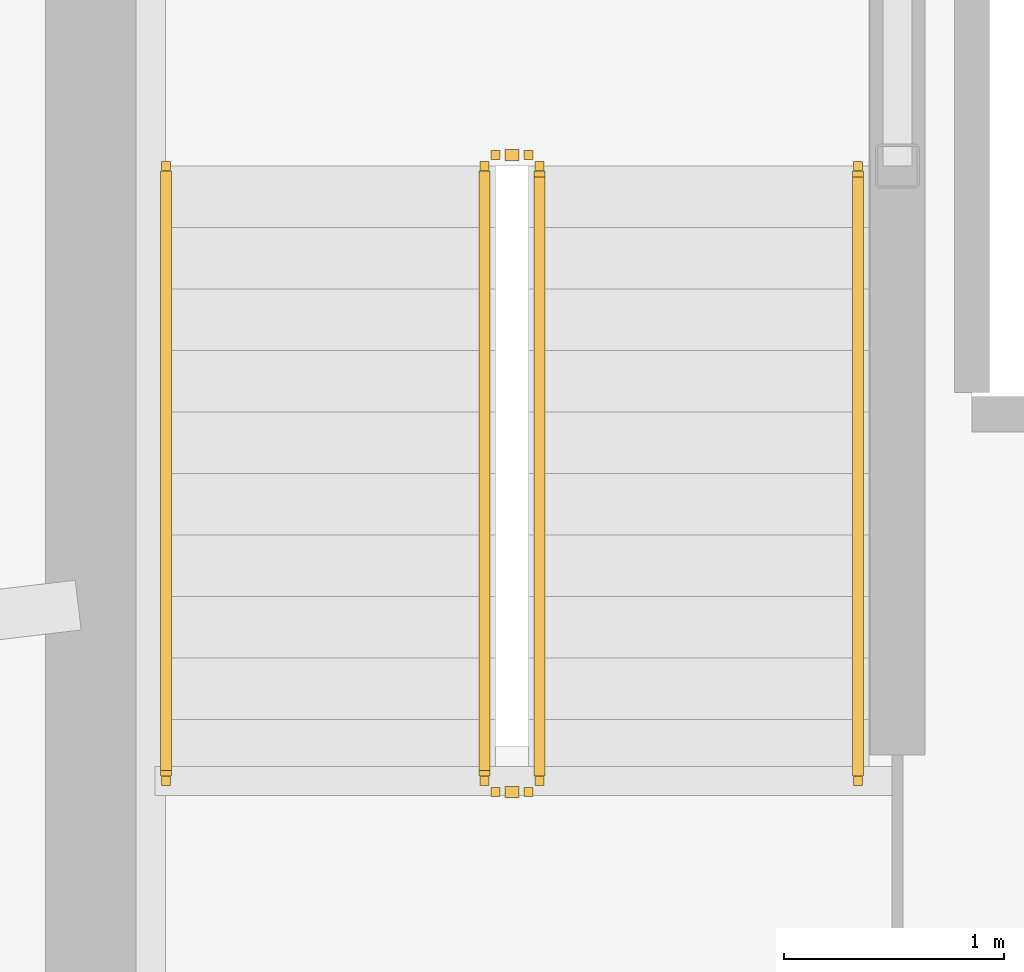
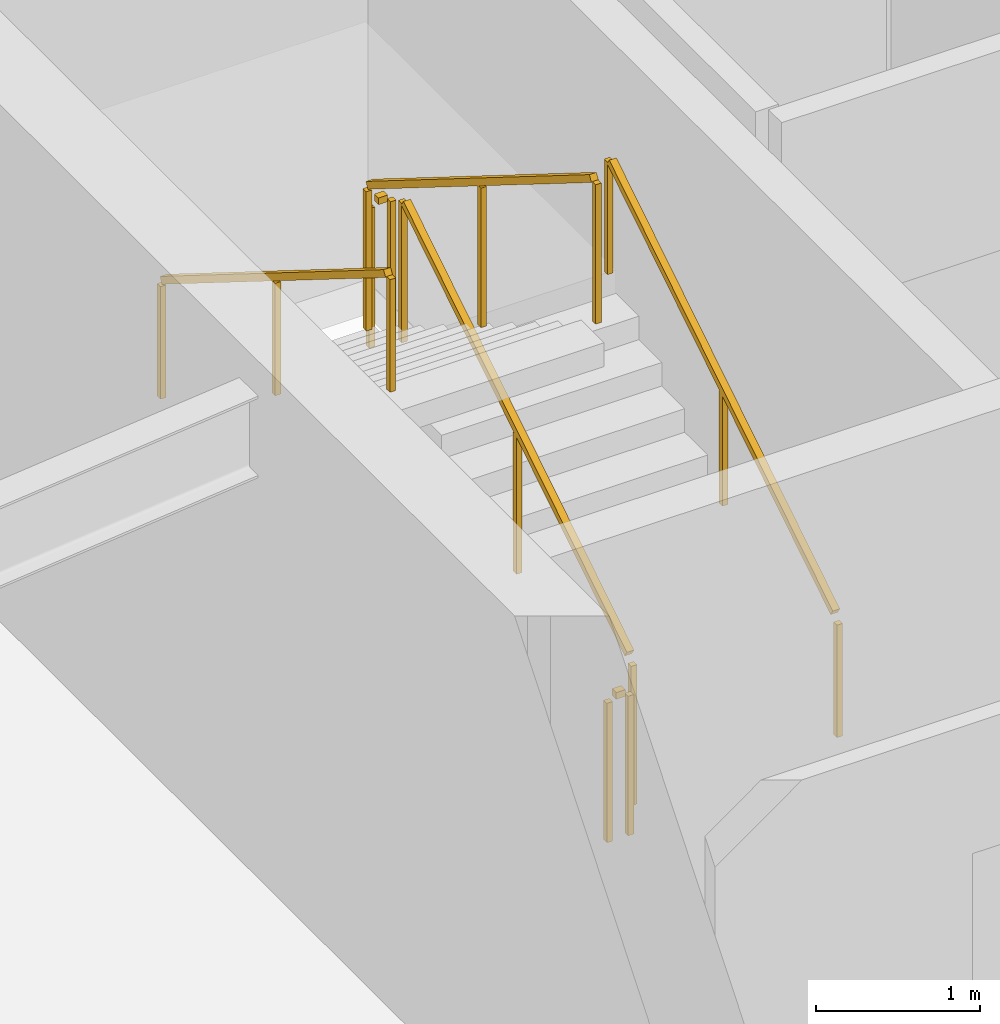
# One storey, part 25 of 30: 6 railings.
"""IFC4 building model written with IfcOpenShell, lengths in metres."""

from ifc_helpers import new_model, si_unit, direction, frame, origin, origin_2d, place, context, subcontext, project, spatial, rectangle, extrude, material, type_object, element, save


model = new_model("IFC4")

# Units and contexts
model_context = context("Model", 3, precision=1e-05, world=origin(), true_north=direction((0.0, 1.0)))
body_context = subcontext(model_context, "Body", "Model", "MODEL_VIEW")
ifc_project = project(units=[si_unit("LENGTHUNIT", "METRE"), si_unit("AREAUNIT", "SQUARE_METRE"), si_unit("VOLUMEUNIT", "CUBIC_METRE"), si_unit("PLANEANGLEUNIT", "RADIAN"), si_unit("MASSUNIT", "GRAM", prefix="KILO")], contexts=[model_context])

# Site, building, storey
site_placement = place(None, origin())
site = spatial("IfcSite", under=ifc_project, at=site_placement, CompositionType="ELEMENT")
building_placement = place(site_placement, origin())
building = spatial("IfcBuilding", under=site, at=building_placement, Name="Kazma Halo Residences", CompositionType="ELEMENT")
storey_placement = place(building_placement, frame((0.0, 0.0, 290.60009765625)))
storey = spatial("IfcBuildingStorey", under=building, at=storey_placement, Name="L73", CompositionType="ELEMENT", Elevation=290.60009765625)

# Railings
ifc_material_1 = material(Name="Painted Steel S355", Category="steel")
railing_type_1 = type_object("IfcRailingType", Name="RLG-STAIR-GRD-1100", PredefinedType="GUARDRAIL", material=ifc_material_1)
railing_1_placement = place(storey_placement, frame((39.550048828125, 39.949951171875, 0.1748046875)))
element("IfcRailing", 1, at=railing_1_placement, inside=storey, type_object=railing_type_1, Name="L73 ST-01 stair guard 1", PredefinedType="GUARDRAIL", context=body_context, shape_type="SweptSolid", body=[
    extrude(rectangle(XDim=0.050048828125, YDim=0.050048828125, at=origin_2d()), frame((0.0, 0.0361328125, 1.09765625), z_axis=(0.0, 0.848002457836, 0.529992293815), x_axis=(-1.0, 0.0, 0.0)), (0.0, 0.0, 1.0), 3.216796875),
    extrude(rectangle(XDim=0.0400390625, YDim=0.0400390625, at=origin_2d()), origin(), (0.0, 0.0, 1.0), 1.0380859375),
    extrude(rectangle(XDim=0.0400390625, YDim=0.0400390625, at=origin_2d()), frame((0.0, 1.39990234375, 0.875)), (0.0, 0.0, 1.0), 1.0380859375),
    extrude(rectangle(XDim=0.0400390625, YDim=0.0400390625, at=origin_2d()), frame((0.0, 2.800048828125, 1.75)), (0.0, 0.0, 1.0), 1.0380859375),
])
railing_2_placement = place(storey_placement, frame((39.5, 42.800048828125, 1.9248046875)))
element("IfcRailing", 2, at=railing_2_placement, inside=storey, type_object=railing_type_1, Name="L73 ST-01 stair guard 2", PredefinedType="GUARDRAIL", context=body_context, shape_type="SweptSolid", body=[
    extrude(rectangle(XDim=0.050048828125, YDim=0.050048828125, at=origin_2d()), frame((-0.04248046875, 0.0, 1.0751953125), z_axis=(-1.0, 0.0, 0.0), x_axis=(0.0, -1.0, 0.0)), (0.0, 0.0, 1.0), 0.06494140625),
    extrude(rectangle(XDim=0.0400390625, YDim=0.0400390625, at=origin_2d()), origin(), (0.0, 0.0, 1.0), 1.0380859375),
    extrude(rectangle(XDim=0.0400390625, YDim=0.0400390625, at=origin_2d()), frame((-0.14990234375, 0.0, 0.0)), (0.0, 0.0, 1.0), 1.0380859375),
])
railing_3_placement = place(storey_placement, frame((39.300048828125, 42.75, 2.099853515625)))
element("IfcRailing", 3, at=railing_3_placement, inside=storey, type_object=railing_type_1, Name="L73 ST-01 stair guard 3", PredefinedType="GUARDRAIL", context=body_context, shape_type="SweptSolid", body=[
    extrude(rectangle(XDim=0.050048828125, YDim=0.050048828125, at=origin_2d()), frame((0.0, -0.0361328125, 1.09765625), z_axis=(0.0, -0.848002457836, 0.529992293815), x_axis=(1.0, 0.0, 0.0)), (0.0, 0.0, 1.0), 3.216796875),
    extrude(rectangle(XDim=0.0400390625, YDim=0.0400390625, at=origin_2d()), origin(), (0.0, 0.0, 1.0), 1.0380859375),
    extrude(rectangle(XDim=0.0400390625, YDim=0.0400390625, at=origin_2d()), frame((0.0, -1.39990234375, 0.875)), (0.0, 0.0, 1.0), 1.0380859375),
    extrude(rectangle(XDim=0.0400390625, YDim=0.0400390625, at=origin_2d()), frame((0.0, -2.800048828125, 1.75)), (0.0, 0.0, 1.0), 1.0380859375),
])
railing_4_placement = place(storey_placement, frame((39.5, 39.89990234375, 0.0)))
element("IfcRailing", 4, at=railing_4_placement, inside=storey, type_object=railing_type_1, Name="L73 ST-01 stair guard 4", PredefinedType="GUARDRAIL", context=body_context, shape_type="SweptSolid", body=[
    extrude(rectangle(XDim=0.050048828125, YDim=0.050048828125, at=origin_2d()), frame((-0.04248046875, 0.0, 1.0751953125), z_axis=(-1.0, 0.0, 0.0), x_axis=(0.0, -1.0, 0.0)), (0.0, 0.0, 1.0), 0.06494140625),
    extrude(rectangle(XDim=0.0400390625, YDim=0.0400390625, at=origin_2d()), origin(), (0.0, 0.0, 1.0), 1.0380859375),
    extrude(rectangle(XDim=0.0400390625, YDim=0.0400390625, at=origin_2d()), frame((-0.14990234375, 0.0, 0.0)), (0.0, 0.0, 1.0), 1.0380859375),
])
ifc_material_2 = material(Name="Brushed Stainless Steel", Category="steel")
railing_type_2 = type_object("IfcRailingType", Name="RLG-STAIR-HND-900", PredefinedType="HANDRAIL", material=ifc_material_2)
railing_5_placement = place(storey_placement, frame((41.0, 39.949951171875, 0.1748046875)))
element("IfcRailing", 5, at=railing_5_placement, inside=storey, type_object=railing_type_2, Name="L73 ST-01 stair handrail 1", PredefinedType="HANDRAIL", context=body_context, shape_type="SweptSolid", body=[
    extrude(rectangle(XDim=0.050048828125, YDim=0.050048828125, at=origin_2d()), frame((0.0, 0.0361328125, 0.8974609375), z_axis=(0.0, 0.848002457836, 0.529992293815), x_axis=(-1.0, 0.0, 0.0)), (0.0, 0.0, 1.0), 3.216796875),
    extrude(rectangle(XDim=0.0400390625, YDim=0.0400390625, at=origin_2d()), origin(), (0.0, 0.0, 1.0), 0.837890625),
    extrude(rectangle(XDim=0.0400390625, YDim=0.0400390625, at=origin_2d()), frame((0.0, 1.39990234375, 0.875)), (0.0, 0.0, 1.0), 0.837890625),
    extrude(rectangle(XDim=0.0400390625, YDim=0.0400390625, at=origin_2d()), frame((0.0, 2.800048828125, 1.75)), (0.0, 0.0, 1.0), 0.837890625),
])
railing_6_placement = place(storey_placement, frame((37.85009765625, 42.75, 2.099853515625)))
element("IfcRailing", 6, at=railing_6_placement, inside=storey, type_object=railing_type_2, Name="L73 ST-01 stair handrail 2", PredefinedType="HANDRAIL", context=body_context, shape_type="SweptSolid", body=[
    extrude(rectangle(XDim=0.050048828125, YDim=0.050048828125, at=origin_2d()), frame((0.0, -0.0361328125, 0.8974609375), z_axis=(0.0, -0.848002457836, 0.529992293815), x_axis=(1.0, 0.0, 0.0)), (0.0, 0.0, 1.0), 3.216796875),
    extrude(rectangle(XDim=0.0400390625, YDim=0.0400390625, at=origin_2d()), origin(), (0.0, 0.0, 1.0), 0.837890625),
    extrude(rectangle(XDim=0.0400390625, YDim=0.0400390625, at=origin_2d()), frame((0.0, -1.39990234375, 0.875)), (0.0, 0.0, 1.0), 0.837890625),
    extrude(rectangle(XDim=0.0400390625, YDim=0.0400390625, at=origin_2d()), frame((0.0, -2.800048828125, 1.75)), (0.0, 0.0, 1.0), 0.837890625),
])

save(model, "model.ifc")
